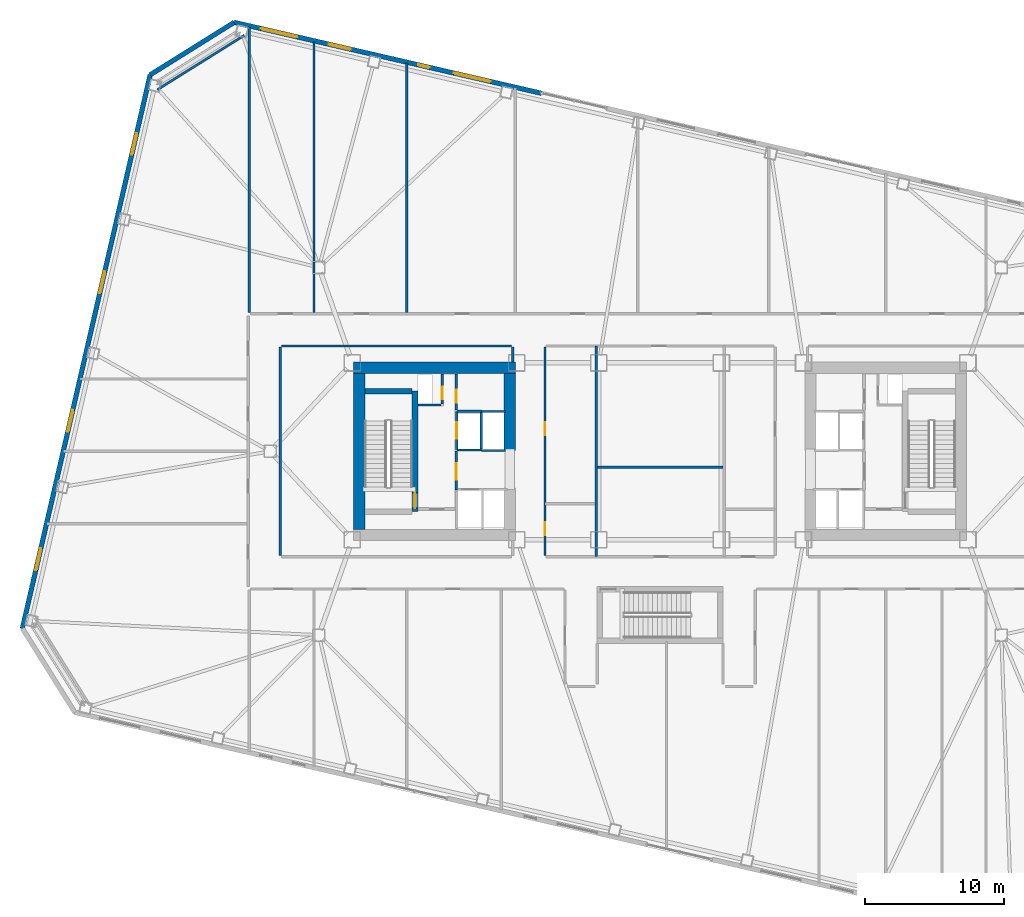
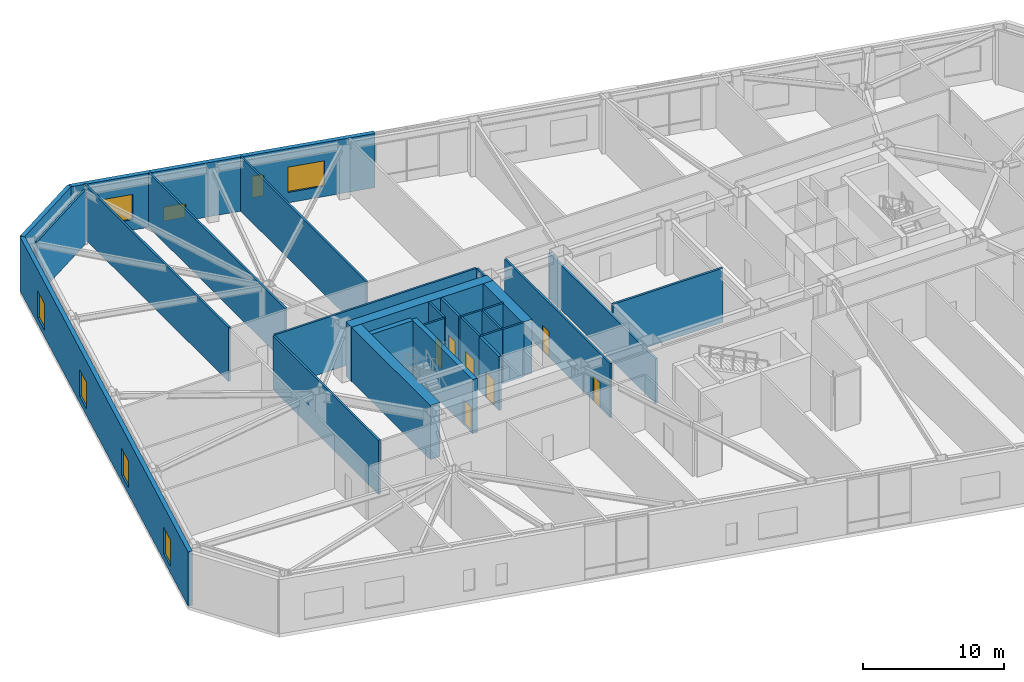
# One storey, part 11 of 20: 28 walls, 8 windows, 7 doors, 15 openings.
"""IFC4 building model written with IfcOpenShell, lengths in metres."""

from ifc_helpers import new_model, si_unit, direction, frame, frame_2d, origin, place, context, subcontext, project, spatial, rectangle, extrude, material, layer, layer_set, type_object, element, fill, save


model = new_model("IFC4")

# Units and contexts
model_context = context("Model", 3, precision=1e-05, world=origin(), true_north=direction((0.0, 1.0)))
body_context = subcontext(model_context, "Body", "Model", "MODEL_VIEW")
ifc_project = project(units=[si_unit("LENGTHUNIT", "METRE"), si_unit("AREAUNIT", "SQUARE_METRE"), si_unit("VOLUMEUNIT", "CUBIC_METRE"), si_unit("PLANEANGLEUNIT", "RADIAN"), si_unit("MASSUNIT", "GRAM", prefix="KILO")], contexts=[model_context])

# Site, building, storey
site_placement = place(None, origin())
site = spatial("IfcSite", under=ifc_project, at=site_placement, CompositionType="ELEMENT")
building_placement = place(site_placement, origin())
building = spatial("IfcBuilding", under=site, at=building_placement, Name="Tavrogorsk Clinical Tower", CompositionType="ELEMENT")
storey_placement = place(building_placement, frame((0.0, 0.0, 18.39990234375)))
storey = spatial("IfcBuildingStorey", under=building, at=storey_placement, Name="L03", CompositionType="ELEMENT", Elevation=18.39990234375)

# Wall, opening, door
ifc_material_1 = material(Name="Concrete B60", Category="concrete")
ifc_layer_1 = layer(ifc_material_1, 0.199951171875)
ifc_layer_set_1 = layer_set([ifc_layer_1], Name="Concrete B60")
wall_type_1 = type_object("IfcWallType", Name="CoreFireWall_200", PredefinedType="SOLIDWALL", material=ifc_layer_set_1)
wall_1_placement = place(storey_placement, frame((-14.639892578125, 2.9599609375, 0.0), z_axis=(0.0, 0.0, 1.0), x_axis=(0.0, 1.0, 0.0)))
wall_1 = element("IfcWall", 1, at=wall_1_placement, inside=storey, type_object=wall_type_1, Name="L03 Core West North Core Room East Wall", PredefinedType="SOLIDWALL", context=body_context, shape_type="SweptSolid", body=[
    extrude(rectangle(XDim=2.60009765625, YDim=0.199951171875, at=frame_2d((1.300048828125, 0.0))), origin(), (0.0, 0.0, 1.0), 4.7001953125),
])
opening_1_placement = place(wall_1_placement, frame((0.52001953125, 0.0, 0.0)))
opening_1 = element("IfcOpeningElement", 2, at=opening_1_placement, cuts=wall_1, Name="Opening ID-02", PredefinedType="OPENING", context=body_context, shape_type="SweptSolid", body=[
    extrude(rectangle(XDim=0.949951171875, YDim=2.199951171875, at=frame_2d((0.47509765625, 1.10009765625))), frame((0.0, 0.10986328125, 0.0), z_axis=(0.0, -1.0, 0.0), x_axis=(1.0, 0.0, 0.0)), (0.0, 0.0, 1.0), 0.219970703125),
])
ifc_material_2 = material(Name="Laminated timber leaf on aluminium frame", Category="wood")
door_type_1 = type_object("IfcDoorType", Name="InteriorDoor_ID02_950", OperationType="NOTDEFINED", PredefinedType="DOOR", material=ifc_material_2)
door_1_placement = place(opening_1_placement, origin())
door_1 = element("IfcDoor", 3, at=door_1_placement, inside=storey, type_object=door_type_1, Name="L03 Core West Core Telemetry Room Door", OperationType="SINGLE_SWING_LEFT", OverallHeight=2.199951171875, OverallWidth=0.949951171875, PredefinedType="DOOR", context=body_context, shape_type="SweptSolid", body=[
    extrude(rectangle(XDim=0.949951171875, YDim=2.199951171875, at=frame_2d((0.47509765625, 1.10009765625))), frame((0.0, 0.02490234375, 0.0), z_axis=(0.0, -1.0, 0.0), x_axis=(1.0, 0.0, 0.0)), (0.0, 0.0, 1.0), 0.050048828125),
])
fill(opening_1, door_1)

wall_2_placement = place(storey_placement, frame((-14.639892578125, -2.780029296875, 0.0), z_axis=(0.0, 0.0, 1.0), x_axis=(0.0, 1.0, 0.0)))
wall_2 = element("IfcWall", 4, at=wall_2_placement, inside=storey, type_object=wall_type_1, Name="L03 Core West Firefighting Lobby Fire Wall", PredefinedType="SOLIDWALL", context=body_context, shape_type="SweptSolid", body=[
    extrude(rectangle(XDim=2.820068359375, YDim=0.199951171875, at=frame_2d((1.41015625, 0.0))), origin(), (0.0, 0.0, 1.0), 4.7001953125),
])
opening_2_placement = place(wall_2_placement, frame((0.72998046875, 0.0, 0.0)))
opening_2 = element("IfcOpeningElement", 5, at=opening_2_placement, cuts=wall_2, Name="Opening FD-01", PredefinedType="OPENING", context=body_context, shape_type="SweptSolid", body=[
    extrude(rectangle(XDim=1.199951171875, YDim=2.199951171875, at=frame_2d((0.60009765625, 1.10009765625))), frame((0.0, 0.10986328125, 0.0), z_axis=(0.0, -1.0, 0.0), x_axis=(1.0, 0.0, 0.0)), (0.0, 0.0, 1.0), 0.219970703125),
])
ifc_material_3 = material(Name="Galvanised steel fire-rated door assembly", Category="steel")
door_type_2 = type_object("IfcDoorType", Name="FireDoor_FD01_1200", OperationType="NOTDEFINED", PredefinedType="DOOR", material=ifc_material_3)
door_2_placement = place(opening_2_placement, origin())
door_2 = element("IfcDoor", 6, at=door_2_placement, inside=storey, type_object=door_type_2, Name="L03 Core West Firefighting Lobby Entry Door", OperationType="SINGLE_SWING_RIGHT", OverallHeight=2.199951171875, OverallWidth=1.199951171875, PredefinedType="DOOR", context=body_context, shape_type="SweptSolid", body=[
    extrude(rectangle(XDim=1.199951171875, YDim=2.199951171875, at=frame_2d((0.60009765625, 1.10009765625))), frame((0.0, 0.02490234375, 0.0), z_axis=(0.0, -1.0, 0.0), x_axis=(1.0, 0.0, 0.0)), (0.0, 0.0, 1.0), 0.050048828125),
])
fill(opening_2, door_2)

# Wall
ifc_material_4 = material(Name="Lightweight concrete blockwork B15", Category="masonry")
ifc_layer_2 = layer(ifc_material_4, 0.159912109375)
ifc_layer_set_2 = layer_set([ifc_layer_2], Name="Lightweight concrete blockwork B15")
wall_type_2 = type_object("IfcWallType", Name="PartitionWall_160", PredefinedType="PARTITIONING", material=ifc_layer_set_2)
wall_3_placement = place(storey_placement, frame((-29.859619140625, 29.8681640625, 0.0), z_axis=(0.0, 0.0, 1.0), x_axis=(-0.848043064089, -0.529927317139, 0.0)))
element("IfcWall", 7, at=wall_3_placement, inside=storey, type_object=wall_type_2, Name="L03 Corner Exoskeleton Brace Furring Wall 3", PredefinedType="PARTITIONING", context=body_context, shape_type="SweptSolid", body=[
    extrude(rectangle(XDim=7.353759765625, YDim=0.159912109375, at=frame_2d((3.6767578125, 0.0))), origin(), (0.0, 0.0, 1.0), 4.7001953125),
])

# Wall, openings, doors
wall_4_placement = place(storey_placement, frame((-8.27001953125, 7.485107421875, 0.0), z_axis=(0.0, 0.0, 1.0), x_axis=(0.0, -1.0, 0.0)))
wall_4 = element("IfcWall", 8, at=wall_4_placement, inside=storey, type_object=wall_type_2, Name="L03 Corridor Partition 18", PredefinedType="PARTITIONING", context=body_context, shape_type="SweptSolid", body=[
    extrude(rectangle(XDim=14.97021484375, YDim=0.159912109375, at=frame_2d((7.485107421875, 0.0))), origin(), (0.0, 0.0, 1.0), 4.7001953125),
])
opening_3_placement = place(wall_4_placement, frame((12.560791015625, 0.0, 0.0)))
opening_3 = element("IfcOpeningElement", 9, at=opening_3_placement, cuts=wall_4, Name="Opening ID-02", PredefinedType="OPENING", context=body_context, shape_type="SweptSolid", body=[
    extrude(rectangle(XDim=0.949951171875, YDim=2.199951171875, at=frame_2d((0.47509765625, 1.10009765625))), frame((0.0, 0.08984375, 0.0), z_axis=(0.0, -1.0, 0.0), x_axis=(1.0, 0.0, 0.0)), (0.0, 0.0, 1.0), 0.179931640625),
])
opening_4_placement = place(wall_4_placement, frame((5.379150390625, 0.0, 0.0)))
opening_4 = element("IfcOpeningElement", 10, at=opening_4_placement, cuts=wall_4, Name="Opening ID-02", PredefinedType="OPENING", context=body_context, shape_type="SweptSolid", body=[
    extrude(rectangle(XDim=0.949951171875, YDim=2.199951171875, at=frame_2d((0.47509765625, 1.10009765625))), frame((0.0, 0.08984375, 0.0), z_axis=(0.0, -1.0, 0.0), x_axis=(1.0, 0.0, 0.0)), (0.0, 0.0, 1.0), 0.179931640625),
])
door_3_placement = place(opening_3_placement, origin())
door_3 = element("IfcDoor", 11, at=door_3_placement, inside=storey, type_object=door_type_1, Name="L03 Accessible Patient Lavatory Door", OperationType="SINGLE_SWING_RIGHT", OverallHeight=2.199951171875, OverallWidth=0.949951171875, PredefinedType="DOOR", context=body_context, shape_type="SweptSolid", body=[
    extrude(rectangle(XDim=0.949951171875, YDim=2.199951171875, at=frame_2d((0.47509765625, 1.10009765625))), frame((0.0, 0.02490234375, 0.0), z_axis=(0.0, -1.0, 0.0), x_axis=(1.0, 0.0, 0.0)), (0.0, 0.0, 1.0), 0.050048828125),
])
fill(opening_3, door_3)
door_4_placement = place(opening_4_placement, origin())
door_4 = element("IfcDoor", 12, at=door_4_placement, inside=storey, type_object=door_type_1, Name="L03 Ward Nourishment Pantry Door", OperationType="SINGLE_SWING_LEFT", OverallHeight=2.199951171875, OverallWidth=0.949951171875, PredefinedType="DOOR", context=body_context, shape_type="SweptSolid", body=[
    extrude(rectangle(XDim=0.949951171875, YDim=2.199951171875, at=frame_2d((0.47509765625, 1.10009765625))), frame((0.0, 0.02490234375, 0.0), z_axis=(0.0, -1.0, 0.0), x_axis=(1.0, 0.0, 0.0)), (0.0, 0.0, 1.0), 0.050048828125),
])
fill(opening_4, door_4)

# Walls
wall_5_placement = place(storey_placement, frame((-10.580078125, 6.419921875, 0.0), z_axis=(0.0, 0.0, 1.0), x_axis=(0.0, 1.0, 0.0)))
element("IfcWall", 13, at=wall_5_placement, inside=storey, type_object=wall_type_2, Name="L03 Corridor Partition 22", PredefinedType="PARTITIONING", context=body_context, shape_type="SweptSolid", body=[
    extrude(rectangle(XDim=1.065185546875, YDim=0.159912109375, at=frame_2d((0.53271484375, 0.0))), origin(), (0.0, 0.0, 1.0), 4.7001953125),
])
wall_6_placement = place(storey_placement, frame((-10.6650390625, 7.570068359375, 0.0), z_axis=(0.0, 0.0, 1.0), x_axis=(-1.0, 0.0, 0.0)))
element("IfcWall", 14, at=wall_6_placement, inside=storey, type_object=wall_type_2, Name="L03 Corridor Partition 23", PredefinedType="PARTITIONING", context=body_context, shape_type="SweptSolid", body=[
    extrude(rectangle(XDim=16.52001953125, YDim=0.159912109375, at=frame_2d((8.260009765625, 0.0))), origin(), (0.0, 0.0, 1.0), 4.7001953125),
])
wall_7_placement = place(storey_placement, frame((-27.27001953125, 7.485107421875, 0.0), z_axis=(0.0, 0.0, 1.0), x_axis=(0.0, -1.0, 0.0)))
element("IfcWall", 15, at=wall_7_placement, inside=storey, type_object=wall_type_2, Name="L03 Corridor Partition 24", PredefinedType="PARTITIONING", context=body_context, shape_type="SweptSolid", body=[
    extrude(rectangle(XDim=14.97021484375, YDim=0.159912109375, at=frame_2d((7.485107421875, 0.0))), origin(), (0.0, 0.0, 1.0), 4.7001953125),
])
wall_8_placement = place(storey_placement, frame((-29.5, 9.965087890625, 0.0), z_axis=(0.0, 0.0, 1.0), x_axis=(0.0, 1.0, 0.0)))
element("IfcWall", 16, at=wall_8_placement, inside=storey, type_object=wall_type_2, Name="L03 NW Wing Closure Partition", PredefinedType="PARTITIONING", context=body_context, shape_type="SweptSolid", body=[
    extrude(rectangle(XDim=20.5185546875, YDim=0.159912109375, at=frame_2d((10.25927734375, 0.0))), origin(), (0.0, 0.0, 1.0), 4.7001953125),
])
wall_9_placement = place(storey_placement, frame((-24.85009765625, 9.965087890625, 0.0), z_axis=(0.0, 0.0, 1.0), x_axis=(0.0, 1.0, 0.0)))
element("IfcWall", 17, at=wall_9_placement, inside=storey, type_object=wall_type_2, Name="L03 North Room Partition 1", PredefinedType="PARTITIONING", context=body_context, shape_type="SweptSolid", body=[
    extrude(rectangle(XDim=19.445068359375, YDim=0.159912109375, at=frame_2d((9.72265625, 0.0))), origin(), (0.0, 0.0, 1.0), 4.7001953125),
])
wall_10_placement = place(storey_placement, frame((-18.199951171875, 9.965087890625, 0.0), z_axis=(0.0, 0.0, 1.0), x_axis=(0.0, 1.0, 0.0)))
element("IfcWall", 18, at=wall_10_placement, inside=storey, type_object=wall_type_2, Name="L03 North Room Partition 2", PredefinedType="PARTITIONING", context=body_context, shape_type="SweptSolid", body=[
    extrude(rectangle(XDim=17.90966796875, YDim=0.159912109375, at=frame_2d((8.954833984375, 0.0))), origin(), (0.0, 0.0, 1.0), 4.7001953125),
])
ifc_material_5 = material(Name="Lightweight concrete blockwork B20", Category="masonry")
ifc_layer_3 = layer(ifc_material_5, 0.179931640625)
ifc_layer_set_3 = layer_set([ifc_layer_3], Name="Lightweight concrete blockwork B20")
wall_type_3 = type_object("IfcWallType", Name="PartitionWall_180", PredefinedType="PARTITIONING", material=ifc_layer_set_3)
wall_11_placement = place(storey_placement, frame((-4.60009765625, -7.56494140625, 0.0), z_axis=(0.0, 0.0, 1.0), x_axis=(0.0, 1.0, 0.0)))
element("IfcWall", 19, at=wall_11_placement, inside=storey, type_object=wall_type_3, Name="L03 Central Spine Partition 1", PredefinedType="PARTITIONING", context=body_context, shape_type="SweptSolid", body=[
    extrude(rectangle(XDim=15.1298828125, YDim=0.179931640625, at=frame_2d((7.56494140625, 0.0))), origin(), (0.0, 0.0, 1.0), 3.89501953125),
])
wall_12_placement = place(storey_placement, frame((-4.5048828125, -1.14990234375, 0.0), z_axis=(0.0, 0.0, 1.0), x_axis=(1.0, 0.0, 0.0)))
element("IfcWall", 20, at=wall_12_placement, inside=storey, type_object=wall_type_3, Name="L03 Central Spine Partition 3", PredefinedType="PARTITIONING", context=body_context, shape_type="SweptSolid", body=[
    extrude(rectangle(XDim=9.009765625, YDim=0.179931640625, at=frame_2d((4.5048828125, 0.0))), origin(), (0.0, 0.0, 1.0), 4.7001953125),
])

# Wall, openings, windows
ifc_material_6 = material(Name="Precast concrete B45 with limestone cladding", Category="masonry")
ifc_layer_4 = layer(ifc_material_6, 0.340087890625)
ifc_layer_set_4 = layer_set([ifc_layer_4], Name="Precast concrete B45 with limestone cladding")
wall_type_4 = type_object("IfcWallType", Name="PrecastLimestoneWall_340", PredefinedType="STANDARD", material=ifc_layer_set_4)
wall_13_placement = place(storey_placement, frame((-8.5166015625, 25.711181640625, 0.0), z_axis=(0.0, 0.0, 1.0), x_axis=(-0.974372845456, 0.224939009598, 0.0)))
wall_13 = element("IfcWall", 21, at=wall_13_placement, inside=storey, type_object=wall_type_4, Name="L03 N Limestone Facade Wall 3", PredefinedType="STANDARD", context=body_context, shape_type="SweptSolid", body=[
    extrude(rectangle(XDim=22.651611328125, YDim=0.340087890625, at=frame_2d((11.32568359375, 0.0))), origin(), (0.0, 0.0, 1.0), 4.7001953125),
])
opening_5_placement = place(wall_13_placement, frame((17.9892578125, 0.0, 0.89990234375)))
opening_5 = element("IfcOpeningElement", 22, at=opening_5_placement, cuts=wall_13, Name="Opening WN-02", PredefinedType="OPENING", context=body_context, shape_type="SweptSolid", body=[
    extrude(rectangle(XDim=2.699951171875, YDim=2.199951171875, at=frame_2d((1.35009765625, 1.10009765625))), frame((0.0, 0.179931640625, 0.0), z_axis=(0.0, -1.0, 0.0), x_axis=(1.0, 0.0, 0.0)), (0.0, 0.0, 1.0), 0.360107421875),
])
opening_6_placement = place(wall_13_placement, frame((14.054931640625, 0.0, 0.219970703125)))
opening_6 = element("IfcOpeningElement", 23, at=opening_6_placement, cuts=wall_13, Name="Opening WN-09", PredefinedType="OPENING", context=body_context, shape_type="SweptSolid", body=[
    extrude(rectangle(XDim=1.60009765625, YDim=1.199951171875, at=frame_2d((0.800048828125, 0.60009765625))), frame((0.0, 0.179931640625, 0.0), z_axis=(0.0, -1.0, 0.0), x_axis=(1.0, 0.0, 0.0)), (0.0, 0.0, 1.0), 0.360107421875),
])
opening_7_placement = place(wall_13_placement, frame((8.24072265625, 0.0, 0.89990234375)))
opening_7 = element("IfcOpeningElement", 24, at=opening_7_placement, cuts=wall_13, Name="Opening WN-06", PredefinedType="OPENING", context=body_context, shape_type="SweptSolid", body=[
    extrude(rectangle(XDim=0.85009765625, YDim=1.85009765625, at=frame_2d((0.425048828125, 0.925048828125))), frame((0.0, 0.179931640625, 0.0), z_axis=(0.0, -1.0, 0.0), x_axis=(1.0, 0.0, 0.0)), (0.0, 0.0, 1.0), 0.360107421875),
])
opening_8_placement = place(wall_13_placement, frame((3.75634765625, 0.0, 0.89990234375)))
opening_8 = element("IfcOpeningElement", 25, at=opening_8_placement, cuts=wall_13, Name="Opening WN-02", PredefinedType="OPENING", context=body_context, shape_type="SweptSolid", body=[
    extrude(rectangle(XDim=2.699951171875, YDim=2.199951171875, at=frame_2d((1.35009765625, 1.10009765625))), frame((0.0, 0.179931640625, 0.0), z_axis=(0.0, -1.0, 0.0), x_axis=(1.0, 0.0, 0.0)), (0.0, 0.0, 1.0), 0.360107421875),
])
ifc_material_7 = material(Name="Thermally broken aluminium frame and triple IGU", Category="aluminium")
window_type_1 = type_object("IfcWindowType", Name="LowHeadTransWin_1600x1200", PartitioningType="DOUBLE_PANEL_VERTICAL", PredefinedType="WINDOW", material=ifc_material_7)
window_1_placement = place(opening_6_placement, origin())
window_1 = element("IfcWindow", 26, at=window_1_placement, inside=storey, type_object=window_type_1, Name="L03 N Chicago Window 02", OverallHeight=1.199951171875, OverallWidth=1.60009765625, PartitioningType="SINGLE_PANEL", PredefinedType="WINDOW", context=body_context, shape_type="SweptSolid", body=[
    extrude(rectangle(XDim=1.60009765625, YDim=1.199951171875, at=frame_2d((0.800048828125, 0.60009765625))), frame((0.0, 0.030029296875, 0.0), z_axis=(0.0, -1.0, 0.0), x_axis=(1.0, 0.0, 0.0)), (0.0, 0.0, 1.0), 0.06005859375),
])
fill(opening_6, window_1)
ifc_material_8 = material(Name="Thermally broken aluminium frame and triple IGU", Category="aluminium")
window_type_2 = type_object("IfcWindowType", Name="MullionSubWin_850x1850", PartitioningType="SINGLE_PANEL", PredefinedType="WINDOW", material=ifc_material_8)
window_2_placement = place(opening_7_placement, origin())
window_2 = element("IfcWindow", 27, at=window_2_placement, inside=storey, type_object=window_type_2, Name="L03 N Mullion Split Window 03A", OverallHeight=1.85009765625, OverallWidth=0.85009765625, PartitioningType="SINGLE_PANEL", PredefinedType="WINDOW", context=body_context, shape_type="SweptSolid", body=[
    extrude(rectangle(XDim=0.85009765625, YDim=1.85009765625, at=frame_2d((0.425048828125, 0.925048828125))), frame((0.0, 0.030029296875, 0.0), z_axis=(0.0, -1.0, 0.0), x_axis=(1.0, 0.0, 0.0)), (0.0, 0.0, 1.0), 0.06005859375),
])
fill(opening_7, window_2)
ifc_material_9 = material(Name="Thermally broken aluminium frame and triple IGU", Category="aluminium")
window_type_3 = type_object("IfcWindowType", Name="WardChicagoWin_2700x2200", PartitioningType="TRIPLE_PANEL_HORIZONTAL", PredefinedType="WINDOW", material=ifc_material_9)
window_3_placement = place(opening_5_placement, origin())
window_3 = element("IfcWindow", 28, at=window_3_placement, inside=storey, type_object=window_type_3, Name="L03 N Chicago Window 01", OverallHeight=2.199951171875, OverallWidth=2.699951171875, PartitioningType="SINGLE_PANEL", PredefinedType="WINDOW", context=body_context, shape_type="SweptSolid", body=[
    extrude(rectangle(XDim=2.699951171875, YDim=2.199951171875, at=frame_2d((1.35009765625, 1.10009765625))), frame((0.0, 0.030029296875, 0.0), z_axis=(0.0, -1.0, 0.0), x_axis=(1.0, 0.0, 0.0)), (0.0, 0.0, 1.0), 0.06005859375),
])
fill(opening_5, window_3)
window_4_placement = place(opening_8_placement, origin())
window_4 = element("IfcWindow", 29, at=window_4_placement, inside=storey, type_object=window_type_3, Name="L03 N Chicago Window 04", OverallHeight=2.199951171875, OverallWidth=2.699951171875, PartitioningType="SINGLE_PANEL", PredefinedType="WINDOW", context=body_context, shape_type="SweptSolid", body=[
    extrude(rectangle(XDim=2.699951171875, YDim=2.199951171875, at=frame_2d((1.35009765625, 1.10009765625))), frame((0.0, 0.030029296875, 0.0), z_axis=(0.0, -1.0, 0.0), x_axis=(1.0, 0.0, 0.0)), (0.0, 0.0, 1.0), 0.06005859375),
])
fill(opening_8, window_4)

wall_14_placement = place(storey_placement, frame((-36.6201171875, 27.036865234375, 0.0), z_axis=(0.0, 0.0, 1.0), x_axis=(-0.224951280646, -0.974370012539, 0.0)))
wall_14 = element("IfcWall", 30, at=wall_14_placement, inside=storey, type_object=wall_type_4, Name="L03 W Pleated Limestone Wing Wall", PredefinedType="STANDARD", context=body_context, shape_type="SweptSolid", body=[
    extrude(rectangle(XDim=40.7998046875, YDim=0.340087890625, at=frame_2d((20.39990234375, 0.0))), origin(), (0.0, 0.0, 1.0), 4.7001953125),
])
opening_9_placement = place(wall_14_placement, frame((4.300048828125, 0.0, 0.580078125)))
opening_9 = element("IfcOpeningElement", 31, at=opening_9_placement, cuts=wall_14, Name="Opening WN-07", PredefinedType="OPENING", context=body_context, shape_type="SweptSolid", body=[
    extrude(rectangle(XDim=1.60009765625, YDim=2.300048828125, at=frame_2d((0.800048828125, 1.14990234375))), frame((0.0, 0.179931640625, 0.0), z_axis=(0.0, -1.0, 0.0), x_axis=(1.0, 0.0, 0.0)), (0.0, 0.0, 1.0), 0.360107421875),
])
opening_10_placement = place(wall_14_placement, frame((14.5, 0.0, 0.580078125)))
opening_10 = element("IfcOpeningElement", 32, at=opening_10_placement, cuts=wall_14, Name="Opening WN-07", PredefinedType="OPENING", context=body_context, shape_type="SweptSolid", body=[
    extrude(rectangle(XDim=1.60009765625, YDim=2.300048828125, at=frame_2d((0.800048828125, 1.14990234375))), frame((0.0, 0.179931640625, 0.0), z_axis=(0.0, -1.0, 0.0), x_axis=(1.0, 0.0, 0.0)), (0.0, 0.0, 1.0), 0.360107421875),
])
opening_11_placement = place(wall_14_placement, frame((24.699951171875, 0.0, 0.580078125)))
opening_11 = element("IfcOpeningElement", 33, at=opening_11_placement, cuts=wall_14, Name="Opening WN-07", PredefinedType="OPENING", context=body_context, shape_type="SweptSolid", body=[
    extrude(rectangle(XDim=1.60009765625, YDim=2.300048828125, at=frame_2d((0.800048828125, 1.14990234375))), frame((0.0, 0.179931640625, 0.0), z_axis=(0.0, -1.0, 0.0), x_axis=(1.0, 0.0, 0.0)), (0.0, 0.0, 1.0), 0.360107421875),
])
opening_12_placement = place(wall_14_placement, frame((34.89990234375, 0.0, 0.580078125)))
opening_12 = element("IfcOpeningElement", 34, at=opening_12_placement, cuts=wall_14, Name="Opening WN-07", PredefinedType="OPENING", context=body_context, shape_type="SweptSolid", body=[
    extrude(rectangle(XDim=1.60009765625, YDim=2.300048828125, at=frame_2d((0.800048828125, 1.14990234375))), frame((0.0, 0.179931640625, 0.0), z_axis=(0.0, -1.0, 0.0), x_axis=(1.0, 0.0, 0.0)), (0.0, 0.0, 1.0), 0.360107421875),
])
ifc_material_10 = material(Name="Thermally broken aluminium frame and triple IGU", Category="aluminium")
window_type_4 = type_object("IfcWindowType", Name="PleatSlotWin_1600x2300", PartitioningType="SINGLE_PANEL", PredefinedType="WINDOW", material=ifc_material_10)
window_5_placement = place(opening_9_placement, origin())
window_5 = element("IfcWindow", 35, at=window_5_placement, inside=storey, type_object=window_type_4, Name="L03 W Pleat Slot Window 1", OverallHeight=2.300048828125, OverallWidth=1.60009765625, PartitioningType="SINGLE_PANEL", PredefinedType="WINDOW", context=body_context, shape_type="SweptSolid", body=[
    extrude(rectangle(XDim=1.60009765625, YDim=2.300048828125, at=frame_2d((0.800048828125, 1.14990234375))), frame((0.0, 0.030029296875, 0.0), z_axis=(0.0, -1.0, 0.0), x_axis=(1.0, 0.0, 0.0)), (0.0, 0.0, 1.0), 0.06005859375),
])
fill(opening_9, window_5)
window_6_placement = place(opening_10_placement, origin())
window_6 = element("IfcWindow", 36, at=window_6_placement, inside=storey, type_object=window_type_4, Name="L03 W Pleat Slot Window 2", OverallHeight=2.300048828125, OverallWidth=1.60009765625, PartitioningType="SINGLE_PANEL", PredefinedType="WINDOW", context=body_context, shape_type="SweptSolid", body=[
    extrude(rectangle(XDim=1.60009765625, YDim=2.300048828125, at=frame_2d((0.800048828125, 1.14990234375))), frame((0.0, 0.030029296875, 0.0), z_axis=(0.0, -1.0, 0.0), x_axis=(1.0, 0.0, 0.0)), (0.0, 0.0, 1.0), 0.06005859375),
])
fill(opening_10, window_6)
window_7_placement = place(opening_11_placement, origin())
window_7 = element("IfcWindow", 37, at=window_7_placement, inside=storey, type_object=window_type_4, Name="L03 W Pleat Slot Window 3", OverallHeight=2.300048828125, OverallWidth=1.60009765625, PartitioningType="SINGLE_PANEL", PredefinedType="WINDOW", context=body_context, shape_type="SweptSolid", body=[
    extrude(rectangle(XDim=1.60009765625, YDim=2.300048828125, at=frame_2d((0.800048828125, 1.14990234375))), frame((0.0, 0.030029296875, 0.0), z_axis=(0.0, -1.0, 0.0), x_axis=(1.0, 0.0, 0.0)), (0.0, 0.0, 1.0), 0.06005859375),
])
fill(opening_11, window_7)
window_8_placement = place(opening_12_placement, origin())
window_8 = element("IfcWindow", 38, at=window_8_placement, inside=storey, type_object=window_type_4, Name="L03 W Pleat Slot Window 4", OverallHeight=2.300048828125, OverallWidth=1.60009765625, PartitioningType="SINGLE_PANEL", PredefinedType="WINDOW", context=body_context, shape_type="SweptSolid", body=[
    extrude(rectangle(XDim=1.60009765625, YDim=2.300048828125, at=frame_2d((0.800048828125, 1.14990234375))), frame((0.0, 0.030029296875, 0.0), z_axis=(0.0, -1.0, 0.0), x_axis=(1.0, 0.0, 0.0)), (0.0, 0.0, 1.0), 0.06005859375),
])
fill(opening_12, window_8)

# Wall
wall_15_placement = place(storey_placement, frame((-30.587646484375, 30.806640625, 0.0), z_axis=(0.0, 0.0, 1.0), x_axis=(-0.848031080615, -0.529946493819, 0.0)))
element("IfcWall", 39, at=wall_15_placement, inside=storey, type_object=wall_type_4, Name="L03 Chamfered Corner Wall 3", PredefinedType="STANDARD", context=body_context, shape_type="SweptSolid", body=[
    extrude(rectangle(XDim=7.113525390625, YDim=0.340087890625, at=frame_2d((3.556640625, 0.0))), origin(), (0.0, 0.0, 1.0), 4.7001953125),
])

# Wall, opening, door
ifc_material_11 = material(Name="Lightweight concrete blockwork B25", Category="masonry")
ifc_layer_5 = layer(ifc_material_11, 0.159912109375)
ifc_layer_set_5 = layer_set([ifc_layer_5], Name="Lightweight concrete blockwork B25")
wall_type_5 = type_object("IfcWallType", Name="ShaftWall_160", PredefinedType="PARTITIONING", material=ifc_layer_set_5)
wall_16_placement = place(storey_placement, frame((-14.60009765625, 0.1201171875, 0.0), z_axis=(0.0, 0.0, 1.0), x_axis=(0.0, 1.0, 0.0)))
wall_16 = element("IfcWall", 40, at=wall_16_placement, inside=storey, type_object=wall_type_5, Name="L03 FFL-W Firefighting Lift Front Wall", PredefinedType="PARTITIONING", context=body_context, shape_type="SweptSolid", body=[
    extrude(rectangle(XDim=2.739990234375, YDim=0.159912109375, at=frame_2d((1.3701171875, 0.0))), origin(), (0.0, 0.0, 1.0), 4.7001953125),
])
opening_13_placement = place(wall_16_placement, frame((0.77001953125, 0.0, 0.0)))
opening_13 = element("IfcOpeningElement", 41, at=opening_13_placement, cuts=wall_16, Name="Opening LD", PredefinedType="OPENING", context=body_context, shape_type="SweptSolid", body=[
    extrude(rectangle(XDim=1.199951171875, YDim=2.199951171875, at=frame_2d((0.60009765625, 1.10009765625))), frame((0.0, 0.08984375, 0.0), z_axis=(0.0, -1.0, 0.0), x_axis=(1.0, 0.0, 0.0)), (0.0, 0.0, 1.0), 0.179931640625),
])
ifc_material_12 = material(Name="Brushed stainless steel AISI 304 sliding doors", Category="steel")
door_type_3 = type_object("IfcDoorType", Name="LiftLandingDoor_LD_1200", OperationType="SLIDING_TO_LEFT", PredefinedType="DOOR", material=ifc_material_12)
door_5_placement = place(opening_13_placement, origin())
door_5 = element("IfcDoor", 42, at=door_5_placement, inside=storey, type_object=door_type_3, Name="L03 FFL-W Sliding Lift Landing Door", OperationType="SLIDING_TO_LEFT", OverallHeight=2.199951171875, OverallWidth=1.199951171875, PredefinedType="DOOR", context=body_context, shape_type="SweptSolid", body=[
    extrude(rectangle(XDim=1.199951171875, YDim=2.199951171875, at=frame_2d((0.60009765625, 1.10009765625))), frame((0.0, 0.02490234375, 0.0), z_axis=(0.0, -1.0, 0.0), x_axis=(1.0, 0.0, 0.0)), (0.0, 0.0, 1.0), 0.050048828125),
])
fill(opening_13, door_5)

# Walls
for number, where, z_axis, x_axis, name in (
    (43, (-14.60009765625, 0.10009765625, 0.0), (0.0, 0.0, 1.0), (1.0, 0.0, 0.0), "L03 FFL-W Shaft South Wall"),
    (44, (-14.60009765625, 2.8798828125, 0.0), (0.0, 0.0, 1.0), (1.0, 0.0, 0.0), "L03 FFL-W Shaft North Wall"),
):
    element("IfcWall", number, at=place(storey_placement, frame(where, z_axis=z_axis, x_axis=x_axis)), inside=storey, type_object=wall_type_5, Name=name, PredefinedType="PARTITIONING", context=body_context, shape_type="SweptSolid", body=[
        extrude(rectangle(XDim=1.760009765625, YDim=0.159912109375, at=frame_2d((0.8798828125, 0.0))), origin(), (0.0, 0.0, 1.0), 4.7001953125),
    ])
wall_17_placement = place(storey_placement, frame((-12.840087890625, 0.179931640625, 0.0), z_axis=(0.0, 0.0, 1.0), x_axis=(0.0, 1.0, 0.0)))
element("IfcWall", 45, at=wall_17_placement, inside=storey, type_object=wall_type_5, Name="L03 FFL-W Shaft Back Wall", PredefinedType="PARTITIONING", context=body_context, shape_type="SweptSolid", body=[
    extrude(rectangle(XDim=2.6201171875, YDim=0.159912109375, at=frame_2d((1.31005859375, 0.0))), origin(), (0.0, 0.0, 1.0), 4.7001953125),
])
for number, where, z_axis, x_axis, name in (
    (46, (-12.820068359375, 0.06005859375, 0.0), (0.0, 0.0, 1.0), (1.0, 0.0, 0.0), "L03 LP-H1 High-Zone Lift Portal Wall"),
    (47, (-12.820068359375, 2.860107421875, 0.0), (0.0, 0.0, 1.0), (1.0, 0.0, 0.0), "L03 LP-H1 High-Zone Lift Rear Wall"),
):
    element("IfcWall", number, at=place(storey_placement, frame(where, z_axis=z_axis, x_axis=x_axis)), inside=storey, type_object=wall_type_5, Name=name, PredefinedType="PARTITIONING", context=body_context, shape_type="SweptSolid", body=[
        extrude(rectangle(XDim=1.719970703125, YDim=0.159912109375, at=frame_2d((0.85986328125, 0.0))), origin(), (0.0, 0.0, 1.0), 4.7001953125),
    ])

# Wall, opening, door
wall_18_placement = place(storey_placement, frame((-15.639892578125, 3.405029296875, 0.0), z_axis=(0.0, 0.0, 1.0), x_axis=(0.0, 1.0, 0.0)))
wall_18 = element("IfcWall", 48, at=wall_18_placement, inside=storey, type_object=wall_type_5, Name="L03 Core West Riser West Wall", PredefinedType="PARTITIONING", context=body_context, shape_type="SweptSolid", body=[
    extrude(rectangle(XDim=2.155029296875, YDim=0.159912109375, at=frame_2d((1.07763671875, 0.0))), origin(), (0.0, 0.0, 1.0), 4.7001953125),
])
opening_14_placement = place(wall_18_placement, frame((0.35009765625, 0.0, 0.0)))
opening_14 = element("IfcOpeningElement", 49, at=opening_14_placement, cuts=wall_18, Name="Opening FD-02", PredefinedType="OPENING", context=body_context, shape_type="SweptSolid", body=[
    extrude(rectangle(XDim=0.89990234375, YDim=2.199951171875, at=frame_2d((0.449951171875, 1.10009765625))), frame((0.0, 0.08984375, 0.0), z_axis=(0.0, -1.0, 0.0), x_axis=(1.0, 0.0, 0.0)), (0.0, 0.0, 1.0), 0.179931640625),
])
ifc_material_13 = material(Name="Galvanised steel fire-rated door assembly", Category="steel")
door_type_4 = type_object("IfcDoorType", Name="FireDoor_FD02_900", OperationType="NOTDEFINED", PredefinedType="DOOR", material=ifc_material_13)
door_6_placement = place(opening_14_placement, origin())
door_6 = element("IfcDoor", 50, at=door_6_placement, inside=storey, type_object=door_type_4, Name="L03 Core West Electrical Riser Access Door", OperationType="SINGLE_SWING_LEFT", OverallHeight=2.199951171875, OverallWidth=0.89990234375, PredefinedType="DOOR", context=body_context, shape_type="SweptSolid", body=[
    extrude(rectangle(XDim=0.89990234375, YDim=2.199951171875, at=frame_2d((0.449951171875, 1.10009765625))), frame((0.0, 0.02490234375, 0.0), z_axis=(0.0, -1.0, 0.0), x_axis=(1.0, 0.0, 0.0)), (0.0, 0.0, 1.0), 0.050048828125),
])
fill(opening_14, door_6)

# Wall
wall_19_placement = place(storey_placement, frame((-17.3798828125, 3.320068359375, 0.0), z_axis=(0.0, 0.0, 1.0), x_axis=(1.0, 0.0, 0.0)))
element("IfcWall", 51, at=wall_19_placement, inside=storey, type_object=wall_type_5, Name="L03 Core West Riser South Wall", PredefinedType="PARTITIONING", context=body_context, shape_type="SweptSolid", body=[
    extrude(rectangle(XDim=1.65478515625, YDim=0.159912109375, at=frame_2d((0.827392578125, 0.0))), origin(), (0.0, 0.0, 1.0), 4.7001953125),
])

# Wall, opening, door
ifc_material_14 = material(Name="Concrete B80", Category="concrete")
ifc_layer_6 = layer(ifc_material_14, 0.39990234375)
ifc_layer_set_6 = layer_set([ifc_layer_6], Name="Concrete B80")
wall_type_6 = type_object("IfcWallType", Name="ShearWall_400", PredefinedType="SHEAR", material=ifc_layer_set_6)
wall_20_placement = place(storey_placement, frame((-17.60009765625, -4.324951171875, 0.0), z_axis=(0.0, 0.0, 1.0), x_axis=(0.0, 1.0, 0.0)))
wall_20 = element("IfcWall", 52, at=wall_20_placement, inside=storey, type_object=wall_type_6, Name="L03 Core West Stair Shaft Inner Shear Wall", PredefinedType="SHEAR", context=body_context, shape_type="SweptSolid", body=[
    extrude(rectangle(XDim=8.64990234375, YDim=0.39990234375, at=frame_2d((4.324951171875, 0.0))), origin(), (0.0, 0.0, 1.0), 4.7001953125),
])
opening_15_placement = place(wall_20_placement, frame((0.25, 0.0, 0.0)))
opening_15 = element("IfcOpeningElement", 53, at=opening_15_placement, cuts=wall_20, Name="Opening SD-01", PredefinedType="OPENING", context=body_context, shape_type="SweptSolid", body=[
    extrude(rectangle(XDim=1.10009765625, YDim=2.199951171875, at=frame_2d((0.550048828125, 1.10009765625))), frame((0.0, 0.2099609375, 0.0), z_axis=(0.0, -1.0, 0.0), x_axis=(1.0, 0.0, 0.0)), (0.0, 0.0, 1.0), 0.419921875),
])
ifc_material_15 = material(Name="Galvanised steel smoke-tight fire door assembly", Category="steel")
door_type_5 = type_object("IfcDoorType", Name="StairFireDoor_SD01_1100", OperationType="NOTDEFINED", PredefinedType="DOOR", material=ifc_material_15)
door_7_placement = place(opening_15_placement, origin())
door_7 = element("IfcDoor", 54, at=door_7_placement, inside=storey, type_object=door_type_5, Name="L03 ST-W Exit Stair Door", OperationType="SINGLE_SWING_LEFT", OverallHeight=2.199951171875, OverallWidth=1.10009765625, PredefinedType="DOOR", context=body_context, shape_type="SweptSolid", body=[
    extrude(rectangle(XDim=1.10009765625, YDim=2.199951171875, at=frame_2d((0.550048828125, 1.10009765625))), frame((0.0, 0.02490234375, 0.0), z_axis=(0.0, -1.0, 0.0), x_axis=(1.0, 0.0, 0.0)), (0.0, 0.0, 1.0), 0.050048828125),
])
fill(opening_15, door_7)

# Walls
wall_21_placement = place(storey_placement, frame((-21.199951171875, 4.324951171875, 0.0), z_axis=(0.0, 0.0, 1.0), x_axis=(1.0, 0.0, 0.0)))
element("IfcWall", 55, at=wall_21_placement, inside=storey, type_object=wall_type_6, Name="L03 Core West Stair Shaft North Shear Wall", PredefinedType="SHEAR", context=body_context, shape_type="SweptSolid", body=[
    extrude(rectangle(XDim=3.39990234375, YDim=0.39990234375, at=frame_2d((1.699951171875, 0.0))), origin(), (0.0, 0.0, 1.0), 4.7001953125),
])
ifc_material_16 = material(Name="Concrete B80", Category="concrete")
ifc_layer_7 = layer(ifc_material_16, 0.800048828125)
ifc_layer_set_7 = layer_set([ifc_layer_7], Name="Concrete B80")
wall_type_7 = type_object("IfcWallType", Name="ShearWall_800", PredefinedType="SHEAR", material=ifc_layer_set_7)
wall_22_placement = place(storey_placement, frame((-22.0, 6.0, 0.0), z_axis=(0.0, 0.0, 1.0), x_axis=(1.0, 0.0, 0.0)))
element("IfcWall", 56, at=wall_22_placement, inside=storey, type_object=wall_type_7, Name="L03 Core West North Shear Wall", PredefinedType="SHEAR", context=body_context, shape_type="SweptSolid", body=[
    extrude(rectangle(XDim=11.60009765625, YDim=0.800048828125, at=frame_2d((5.800048828125, 0.0))), origin(), (0.0, 0.0, 1.0), 4.7001953125),
])
wall_23_placement = place(storey_placement, frame((-21.60009765625, -5.60009765625, 0.0), z_axis=(0.0, 0.0, 1.0), x_axis=(0.0, 1.0, 0.0)))
element("IfcWall", 57, at=wall_23_placement, inside=storey, type_object=wall_type_7, Name="L03 Core West End Shear Wall", PredefinedType="SHEAR", context=body_context, shape_type="SweptSolid", body=[
    extrude(rectangle(XDim=11.2001953125, YDim=0.800048828125, at=frame_2d((5.60009765625, 0.0))), origin(), (0.0, 0.0, 1.0), 4.7001953125),
])
wall_24_placement = place(storey_placement, frame((-10.800048828125, 0.050048828125, 0.0), z_axis=(0.0, 0.0, 1.0), x_axis=(0.0, 1.0, 0.0)))
element("IfcWall", 58, at=wall_24_placement, inside=storey, type_object=wall_type_7, Name="L03 Core West Inner North Pier", PredefinedType="SHEAR", context=body_context, shape_type="SweptSolid", body=[
    extrude(rectangle(XDim=5.550048828125, YDim=0.800048828125, at=frame_2d((2.77490234375, 0.0))), origin(), (0.0, 0.0, 1.0), 4.7001953125),
])

save(model, "model.ifc")
